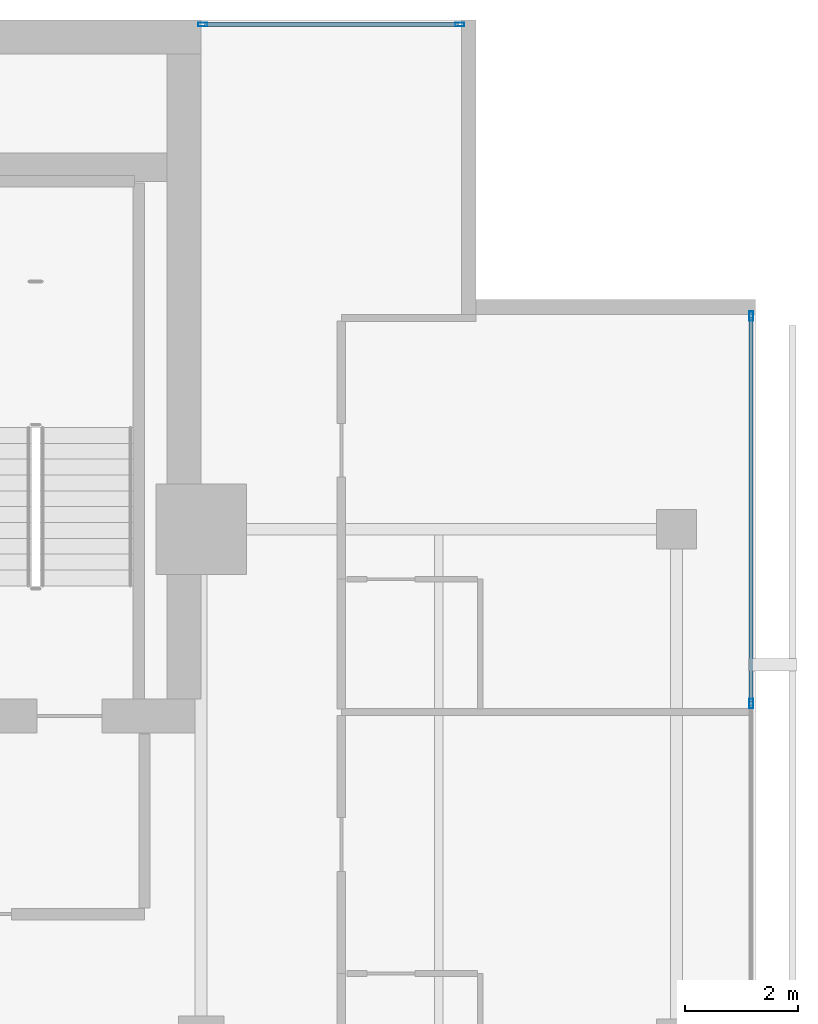
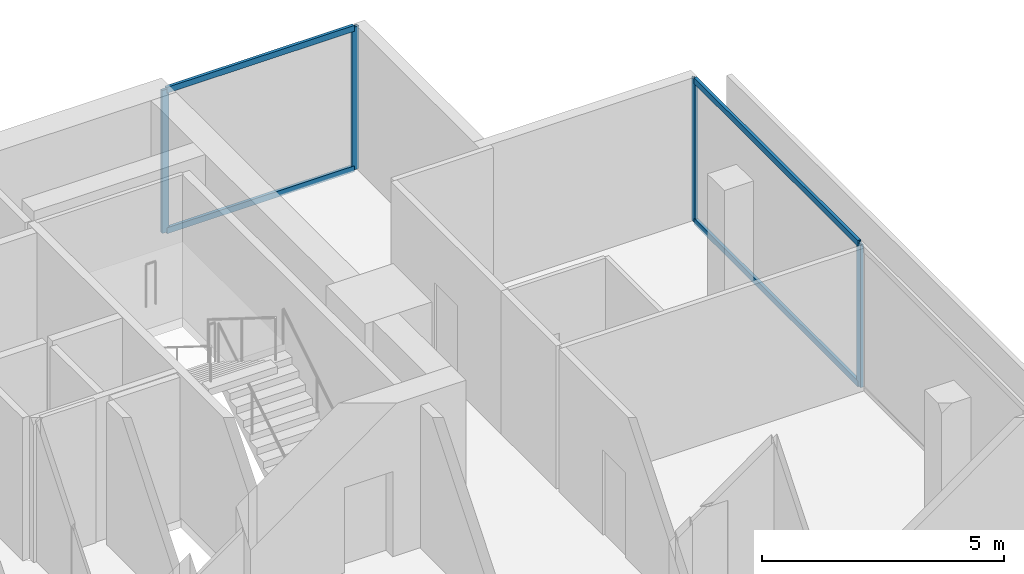
# One storey, part 18 of 25: 8 members, 2 elements without a shape of their own.
"""IFC4 building model written with IfcOpenShell, lengths in metres."""

from ifc_helpers import new_model, si_unit, direction, frame, origin, origin_2d, place, context, subcontext, project, spatial, hollow_rectangle, extrude, material, layer, layer_set, material_profile, profile_set, type_object, element, aggregate, save


model = new_model("IFC4")

# Units and contexts
model_context = context("Model", 3, precision=1e-05, world=origin(), true_north=direction((0.0, 1.0)))
body_context = subcontext(model_context, "Body", "Model", "MODEL_VIEW")
ifc_project = project(units=[si_unit("LENGTHUNIT", "METRE"), si_unit("AREAUNIT", "SQUARE_METRE"), si_unit("VOLUMEUNIT", "CUBIC_METRE"), si_unit("PLANEANGLEUNIT", "RADIAN"), si_unit("MASSUNIT", "GRAM", prefix="KILO")], contexts=[model_context])

# Site, building, storey
site_placement = place(None, origin())
site = spatial("IfcSite", under=ifc_project, at=site_placement, CompositionType="ELEMENT")
building_placement = place(site_placement, origin())
building = spatial("IfcBuilding", under=site, at=building_placement, Name="Maruvema Waterfront Hotel and Observation Tower", CompositionType="ELEMENT")
storey_placement = place(building_placement, frame((0.0, 0.0, 239.39990234375)))
storey = spatial("IfcBuildingStorey", under=building, at=storey_placement, Name="L58", CompositionType="ELEMENT", Elevation=239.39990234375)

# Curtain wall, members
ifc_material_1 = material(Name="Anodised bronze aluminium and solar-control low-E IGU", Category="aluminium")
ifc_layer = layer(ifc_material_1, 0.159912109375, Name="Zone 3 Champagne Inner Thermal Curtain Wall System CW-04")
ifc_layer_set = layer_set([ifc_layer], Name="Anodised bronze aluminium and solar-control low-E IGU")
curtain_wall_type = type_object("IfcCurtainWallType", Name="Zone 3 Champagne Inner Thermal Curtain Wall System CW-04", PredefinedType="USERDEFINED", material=ifc_layer_set)
curtain_wall_1_placement = place(storey_placement, origin())
curtain_wall_1 = element("IfcCurtainWall", 1, at=curtain_wall_1_placement, inside=storey, type_object=curtain_wall_type, Name="L58 Curtain Wall CW-L58-E", ObjectType="UNITISED CURTAIN WALL", PredefinedType="USERDEFINED")
ifc_material_2 = material(Name="Anodised architectural bronze aluminium", Category="aluminium")
ifc_material_profile_1 = material_profile(ifc_material_2, hollow_rectangle(XDim=0.070068359375, YDim=0.14990234375, WallThickness=0.00390625, at=origin_2d()), Name="ALU-T70x150")
ifc_profile_set_1 = profile_set([ifc_material_profile_1], Name="Anodised architectural bronze aluminium")
member_type_1 = type_object("IfcMemberType", Name="Curtain Wall Horizontal Transom ALU-T70x150", PredefinedType="USERDEFINED", material=ifc_profile_set_1)
member_1_placement = place(storey_placement, frame((60.1201171875, 41.949951171875, 0.030029296875), z_axis=(0.0, 1.0, 0.0), x_axis=(-1.0, 0.0, 0.0)))
member_1 = element("IfcMember", 2, at=member_1_placement, type_object=member_type_1, Name="CW-04 transom 5.1", ObjectType="TRANSOM", PredefinedType="USERDEFINED", context=body_context, shape_type="SweptSolid", body=[
    extrude(hollow_rectangle(XDim=0.070068359375, YDim=0.14990234375, WallThickness=0.00390625, at=origin_2d()), origin(), (0.0, 0.0, 1.0), 6.7900390625),
])
member_2_placement = place(storey_placement, frame((60.1201171875, 41.949951171875, 3.580078125), z_axis=(0.0, 1.0, 0.0), x_axis=(-1.0, 0.0, 0.0)))
member_2 = element("IfcMember", 3, at=member_2_placement, type_object=member_type_1, Name="CW-04 transom 5.2", ObjectType="TRANSOM", PredefinedType="USERDEFINED", context=body_context, shape_type="SweptSolid", body=[
    extrude(hollow_rectangle(XDim=0.070068359375, YDim=0.14990234375, WallThickness=0.00390625, at=origin_2d()), origin(), (0.0, 0.0, 1.0), 6.7900390625),
])

curtain_wall_2_placement = place(storey_placement, origin())
curtain_wall_2 = element("IfcCurtainWall", 4, at=curtain_wall_2_placement, inside=storey, type_object=curtain_wall_type, Name="L58 Curtain Wall CW-L58-NE", ObjectType="UNITISED CURTAIN WALL", PredefinedType="USERDEFINED")
member_3_placement = place(storey_placement, frame((54.93994140625, 53.919921875, 0.030029296875), z_axis=(-1.0, 0.0, 0.0), x_axis=(0.0, -1.0, 0.0)))
member_3 = element("IfcMember", 5, at=member_3_placement, type_object=member_type_1, Name="CW-04 transom 1.1", ObjectType="TRANSOM", PredefinedType="USERDEFINED", context=body_context, shape_type="SweptSolid", body=[
    extrude(hollow_rectangle(XDim=0.070068359375, YDim=0.14990234375, WallThickness=0.00390625, at=origin_2d()), origin(), (0.0, 0.0, 1.0), 4.47998046875),
])
member_4_placement = place(storey_placement, frame((54.93994140625, 53.919921875, 3.580078125), z_axis=(-1.0, 0.0, 0.0), x_axis=(0.0, -1.0, 0.0)))
member_4 = element("IfcMember", 6, at=member_4_placement, type_object=member_type_1, Name="CW-04 transom 1.2", ObjectType="TRANSOM", PredefinedType="USERDEFINED", context=body_context, shape_type="SweptSolid", body=[
    extrude(hollow_rectangle(XDim=0.070068359375, YDim=0.14990234375, WallThickness=0.00390625, at=origin_2d()), origin(), (0.0, 0.0, 1.0), 4.47998046875),
])

# Member
ifc_material_3 = material(Name="Anodised architectural bronze aluminium", Category="aluminium")
ifc_material_profile_2 = material_profile(ifc_material_3, hollow_rectangle(XDim=0.06494140625, YDim=0.1650390625, WallThickness=0.00390625, at=origin_2d()), Name="ALU-M65x165")
ifc_profile_set_2 = profile_set([ifc_material_profile_2], Name="Anodised architectural bronze aluminium")
member_type_2 = type_object("IfcMemberType", Name="Curtain Wall Primary Mullion ALU-M65x165", PredefinedType="MULLION", material=ifc_profile_set_2)
member_5_placement = place(storey_placement, frame((60.1201171875, 41.919921875, 0.0), z_axis=(0.0, 0.0, 1.0), x_axis=(-1.0, 0.0, 0.0)))
member_5 = element("IfcMember", 7, at=member_5_placement, type_object=member_type_2, Name="CW-04 mullion 5", PredefinedType="MULLION", context=body_context, shape_type="SweptSolid", body=[
    extrude(hollow_rectangle(XDim=0.06494140625, YDim=0.1650390625, WallThickness=0.00390625, at=origin_2d()), origin(), (0.0, 0.0, 1.0), 3.610107421875),
])

member_6_placement = place(storey_placement, frame((60.1201171875, 48.77001953125, 0.0), z_axis=(0.0, 0.0, 1.0), x_axis=(-1.0, 0.0, 0.0)))
member_6 = element("IfcMember", 8, at=member_6_placement, type_object=member_type_2, Name="CW-04 mullion 6", PredefinedType="MULLION", context=body_context, shape_type="SweptSolid", body=[
    extrude(hollow_rectangle(XDim=0.06494140625, YDim=0.1650390625, WallThickness=0.00390625, at=origin_2d()), origin(), (0.0, 0.0, 1.0), 3.610107421875),
])

aggregate(curtain_wall_1, [member_5, member_6, member_1, member_2])

member_7_placement = place(storey_placement, frame((54.969970703125, 53.919921875, 0.0), z_axis=(0.0, 0.0, 1.0), x_axis=(0.0, -1.0, 0.0)))
member_7 = element("IfcMember", 9, at=member_7_placement, type_object=member_type_2, Name="CW-04 mullion 1", PredefinedType="MULLION", context=body_context, shape_type="SweptSolid", body=[
    extrude(hollow_rectangle(XDim=0.06494140625, YDim=0.1650390625, WallThickness=0.00390625, at=origin_2d()), origin(), (0.0, 0.0, 1.0), 3.610107421875),
])

member_8_placement = place(storey_placement, frame((50.429931640625, 53.919921875, 0.0), z_axis=(0.0, 0.0, 1.0), x_axis=(0.0, -1.0, 0.0)))
member_8 = element("IfcMember", 10, at=member_8_placement, type_object=member_type_2, Name="CW-04 mullion 2", PredefinedType="MULLION", context=body_context, shape_type="SweptSolid", body=[
    extrude(hollow_rectangle(XDim=0.06494140625, YDim=0.1650390625, WallThickness=0.00390625, at=origin_2d()), origin(), (0.0, 0.0, 1.0), 3.610107421875),
])

aggregate(curtain_wall_2, [member_7, member_8, member_3, member_4])

save(model, "model.ifc")
